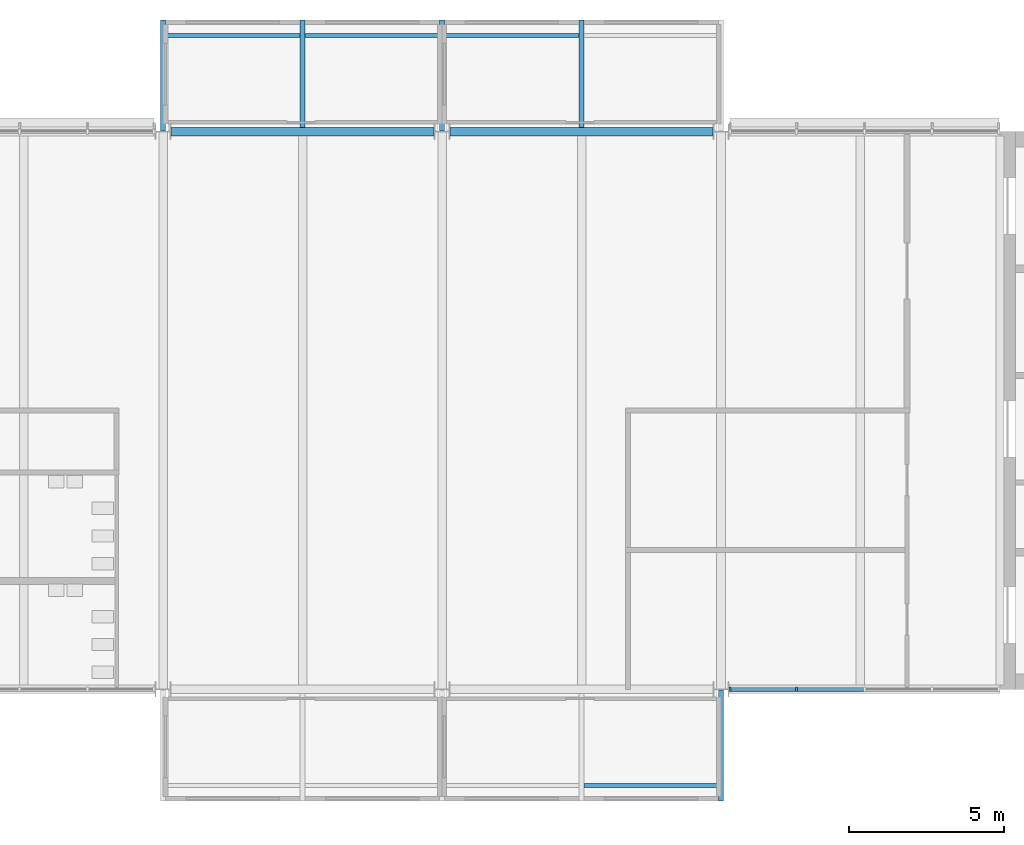
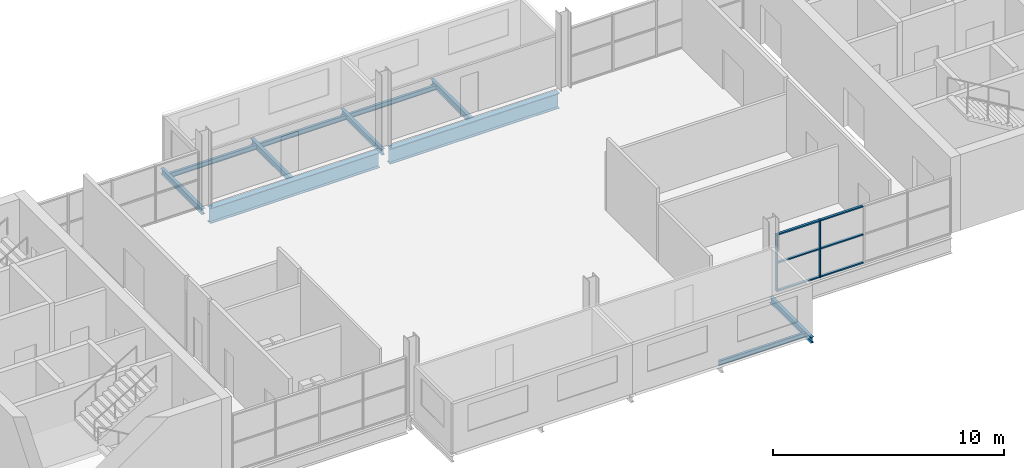
# One storey, part 2 of 10: 11 beams, 8 members, 1 element without a shape of its own.
"""IFC4 building model written with IfcOpenShell, lengths in metres."""

from ifc_helpers import new_model, si_unit, direction, frame, origin, origin_2d, place, context, subcontext, project, spatial, rectangle, i_section, extrude, material, layer, layer_set, material_profile, profile_set, type_object, element, aggregate, save


model = new_model("IFC4")

# Units and contexts
model_context = context("Model", 3, precision=1e-05, world=origin(), true_north=direction((0.0, 1.0)))
body_context = subcontext(model_context, "Body", "Model", "MODEL_VIEW")
ifc_project = project(units=[si_unit("LENGTHUNIT", "METRE"), si_unit("AREAUNIT", "SQUARE_METRE"), si_unit("VOLUMEUNIT", "CUBIC_METRE"), si_unit("PLANEANGLEUNIT", "RADIAN"), si_unit("MASSUNIT", "GRAM", prefix="KILO")], contexts=[model_context])

# Site, building, storey
site_placement = place(None, origin())
site = spatial("IfcSite", under=ifc_project, at=site_placement, CompositionType="ELEMENT")
building_placement = place(site_placement, origin())
building = spatial("IfcBuilding", under=site, at=building_placement, Name="Corbel Yard City Hall", CompositionType="ELEMENT")
storey_placement = place(building_placement, frame((0.0, 0.0, 23.199951171875)))
storey = spatial("IfcBuildingStorey", under=building, at=storey_placement, Name="L05", CompositionType="ELEMENT", Elevation=23.199951171875)

# Beams
ifc_material_1 = material(Name="Steel Grade 350", Category="steel")
ifc_material_profile_1 = material_profile(ifc_material_1, i_section(OverallWidth=0.27490234375, OverallDepth=0.81005859375, WebThickness=0.010009765625, FlangeThickness=0.02490234375, at=origin_2d()), Name="800WB168")
ifc_profile_set_1 = profile_set([ifc_material_profile_1], Name="Steel Grade 350")
beam_type_1 = type_object("IfcBeamType", Name="Edge beam 800WB168", PredefinedType="BEAM", material=ifc_profile_set_1)
for number, where, z_axis, x_axis, name in (
    (1, (18.257080078125, 117.0, -0.554931640625), (1.0, 0.0, 0.0), (0.0, 1.0, 0.0), "Edge beam 800WB168 EB3 L05tower"),
    (2, (27.257080078125, 117.0, -0.554931640625), (1.0, 0.0, 0.0), (0.0, 1.0, 0.0), "Edge beam 800WB168 EB3 L05tower"),
):
    element("IfcBeam", number, at=place(storey_placement, frame(where, z_axis=z_axis, x_axis=x_axis)), inside=storey, type_object=beam_type_1, Name=name, PredefinedType="BEAM", context=body_context, shape_type="SweptSolid", body=[
        extrude(i_section(OverallWidth=0.27490234375, OverallDepth=0.81005859375, WebThickness=0.010009765625, FlangeThickness=0.02490234375, at=origin_2d()), origin(), (0.0, 0.0, 1.0), 8.48583984375),
    ])

# Curtain wall, members
ifc_material_2 = material(Name="Aluminium extrusion", Category="aluminium")
ifc_layer = layer(ifc_material_2, 0.14990234375)
ifc_layer_set = layer_set([ifc_layer], Name="Aluminium extrusion")
curtain_wall_type = type_object("IfcCurtainWallType", Name="CW2", PredefinedType="USERDEFINED", material=ifc_layer_set)
curtain_wall_placement = place(storey_placement, origin())
curtain_wall = element("IfcCurtainWall", 3, at=curtain_wall_placement, inside=storey, type_object=curtain_wall_type, Name="Curtain wall CW2 L05", ObjectType="CURTAIN WALL", PredefinedType="USERDEFINED")
ifc_material_profile_2 = material_profile(ifc_material_2, rectangle(XDim=0.14990234375, YDim=0.06494140625, at=origin_2d()), Name="150x65")
ifc_profile_set_2 = profile_set([ifc_material_profile_2], Name="Aluminium extrusion")
member_type_1 = type_object("IfcMemberType", Name="ML2", PredefinedType="MULLION", material=ifc_profile_set_2)
member_1_placement = place(storey_placement, frame((36.28955078125, 99.0, 0.0), z_axis=(0.0, 0.0, 1.0), x_axis=(0.0, 1.0, 0.0)))
member_1 = element("IfcMember", 4, at=member_1_placement, type_object=member_type_1, Name="CW2 mullion 1", PredefinedType="MULLION", context=body_context, shape_type="SweptSolid", body=[
    extrude(rectangle(XDim=0.14990234375, YDim=0.06494140625, at=origin_2d()), origin(), (0.0, 0.0, 1.0), 3.0400390625),
])
member_2_placement = place(storey_placement, frame((38.44287109375, 99.0, 0.0), z_axis=(0.0, 0.0, 1.0), x_axis=(0.0, 1.0, 0.0)))
member_2 = element("IfcMember", 5, at=member_2_placement, type_object=member_type_1, Name="CW2 mullion 2", PredefinedType="MULLION", context=body_context, shape_type="SweptSolid", body=[
    extrude(rectangle(XDim=0.14990234375, YDim=0.06494140625, at=origin_2d()), origin(), (0.0, 0.0, 1.0), 3.0400390625),
])

# Beams
ifc_material_3 = material(Name="Steel Grade 300 (300 MPa yield)", Category="steel")
ifc_material_profile_3 = material_profile(ifc_material_3, i_section(OverallWidth=0.166015625, OverallDepth=0.306884765625, WebThickness=0.006591796875, FlangeThickness=0.01171875, at=origin_2d()), Name="310UB46.2")
ifc_profile_set_3 = profile_set([ifc_material_profile_3], Name="Steel Grade 300 (300 MPa yield)")
beam_type_2 = type_object("IfcBeamType", Name="Pod stub beam 310UB46.2", PredefinedType="BEAM", material=ifc_profile_set_3)
for number, where, z_axis, x_axis, name in (
    (6, (36.0, 95.39990234375, -0.303466796875), (0.0, 1.0, 0.0), (-1.0, 0.0, 0.0), "Pod stub 310UB46.2 CB1 L05"),
    (7, (18.0, 117.012451171875, -0.303466796875), (0.0, 1.0, 0.0), (-1.0, 0.0, 0.0), "Pod stub 310UB46.2 CB1 L05"),
):
    element("IfcBeam", number, at=place(storey_placement, frame(where, z_axis=z_axis, x_axis=x_axis)), inside=storey, type_object=beam_type_2, Name=name, PredefinedType="BEAM", context=body_context, shape_type="SweptSolid", body=[
        extrude(i_section(OverallWidth=0.166015625, OverallDepth=0.306884765625, WebThickness=0.006591796875, FlangeThickness=0.01171875, at=origin_2d()), origin(), (0.0, 0.0, 1.0), 3.587646484375),
    ])
beam_1_placement = place(storey_placement, frame((22.5, 117.137451171875, -0.303466796875), z_axis=(0.0, 1.0, 0.0), x_axis=(-1.0, 0.0, 0.0)))
element("IfcBeam", 8, at=beam_1_placement, inside=storey, type_object=beam_type_2, Name="Pod stub 310UB46.2 CB1 L05", PredefinedType="BEAM", context=body_context, shape_type="SweptSolid", body=[
    extrude(i_section(OverallWidth=0.166015625, OverallDepth=0.306884765625, WebThickness=0.006591796875, FlangeThickness=0.01171875, at=origin_2d()), origin(), (0.0, 0.0, 1.0), 3.462646484375),
])
beam_2_placement = place(storey_placement, frame((27.0, 117.012451171875, -0.303466796875), z_axis=(0.0, 1.0, 0.0), x_axis=(-1.0, 0.0, 0.0)))
element("IfcBeam", 9, at=beam_2_placement, inside=storey, type_object=beam_type_2, Name="Pod stub 310UB46.2 CB1 L05", PredefinedType="BEAM", context=body_context, shape_type="SweptSolid", body=[
    extrude(i_section(OverallWidth=0.166015625, OverallDepth=0.306884765625, WebThickness=0.006591796875, FlangeThickness=0.01171875, at=origin_2d()), origin(), (0.0, 0.0, 1.0), 3.587646484375),
])
beam_3_placement = place(storey_placement, frame((31.5, 117.137451171875, -0.303466796875), z_axis=(0.0, 1.0, 0.0), x_axis=(-1.0, 0.0, 0.0)))
element("IfcBeam", 10, at=beam_3_placement, inside=storey, type_object=beam_type_2, Name="Pod stub 310UB46.2 CB1 L05", PredefinedType="BEAM", context=body_context, shape_type="SweptSolid", body=[
    extrude(i_section(OverallWidth=0.166015625, OverallDepth=0.306884765625, WebThickness=0.006591796875, FlangeThickness=0.01171875, at=origin_2d()), origin(), (0.0, 0.0, 1.0), 3.462646484375),
])
ifc_material_profile_4 = material_profile(ifc_material_3, i_section(OverallWidth=0.1240234375, OverallDepth=0.248046875, WebThickness=0.0048828125, FlangeThickness=0.008056640625, at=origin_2d()), Name="250UB25.7")
ifc_profile_set_4 = profile_set([ifc_material_profile_4], Name="Steel Grade 300 (300 MPa yield)")
beam_type_3 = type_object("IfcBeamType", Name="Pod tip beam", PredefinedType="BEAM", material=ifc_profile_set_4)
for number, where, z_axis, x_axis, name in (
    (11, (31.5830078125, 95.89990234375, -0.27392578125), (1.0, 0.0, 0.0), (0.0, 1.0, 0.0), "Pod tip beam"),
    (12, (18.0830078125, 120.10009765625, -0.27392578125), (1.0, 0.0, 0.0), (0.0, 1.0, 0.0), "Pod tip beam"),
    (13, (22.5830078125, 120.10009765625, -0.27392578125), (1.0, 0.0, 0.0), (0.0, 1.0, 0.0), "Pod tip beam"),
    (14, (27.0830078125, 120.10009765625, -0.27392578125), (1.0, 0.0, 0.0), (0.0, 1.0, 0.0), "Pod tip beam"),
):
    element("IfcBeam", number, at=place(storey_placement, frame(where, z_axis=z_axis, x_axis=x_axis)), inside=storey, type_object=beam_type_3, Name=name, PredefinedType="BEAM", context=body_context, shape_type="SweptSolid", body=[
        extrude(i_section(OverallWidth=0.1240234375, OverallDepth=0.248046875, WebThickness=0.0048828125, FlangeThickness=0.008056640625, at=origin_2d()), origin(), (0.0, 0.0, 1.0), 4.333984375),
    ])

# Member
ifc_material_profile_5 = material_profile(ifc_material_2, rectangle(XDim=0.1201171875, YDim=0.06494140625, at=origin_2d()), Name="120x65")
ifc_profile_set_5 = profile_set([ifc_material_profile_5], Name="Aluminium extrusion")
member_type_2 = type_object("IfcMemberType", Name="TR2", PredefinedType="USERDEFINED", material=ifc_profile_set_5)
member_3_placement = place(storey_placement, frame((36.322021484375, 99.0, 0.032470703125), z_axis=(1.0, 0.0, 0.0), x_axis=(0.0, 1.0, 0.0)))
member_3 = element("IfcMember", 15, at=member_3_placement, type_object=member_type_2, Name="CW2 transom 1.1", ObjectType="TRANSOM", PredefinedType="USERDEFINED", context=body_context, shape_type="SweptSolid", body=[
    extrude(rectangle(XDim=0.1201171875, YDim=0.06494140625, at=origin_2d()), origin(), (0.0, 0.0, 1.0), 2.088134765625),
])

member_4_placement = place(storey_placement, frame((36.322021484375, 99.0, 1.52001953125), z_axis=(1.0, 0.0, 0.0), x_axis=(0.0, 1.0, 0.0)))
member_4 = element("IfcMember", 16, at=member_4_placement, type_object=member_type_2, Name="CW2 transom 1.2", ObjectType="TRANSOM", PredefinedType="USERDEFINED", context=body_context, shape_type="SweptSolid", body=[
    extrude(rectangle(XDim=0.1201171875, YDim=0.06494140625, at=origin_2d()), origin(), (0.0, 0.0, 1.0), 2.088134765625),
])

member_5_placement = place(storey_placement, frame((36.322021484375, 99.0, 3.007568359375), z_axis=(1.0, 0.0, 0.0), x_axis=(0.0, 1.0, 0.0)))
member_5 = element("IfcMember", 17, at=member_5_placement, type_object=member_type_2, Name="CW2 transom 1.3", ObjectType="TRANSOM", PredefinedType="USERDEFINED", context=body_context, shape_type="SweptSolid", body=[
    extrude(rectangle(XDim=0.1201171875, YDim=0.06494140625, at=origin_2d()), origin(), (0.0, 0.0, 1.0), 2.088134765625),
])

member_6_placement = place(storey_placement, frame((38.475341796875, 99.0, 0.032470703125), z_axis=(1.0, 0.0, 0.0), x_axis=(0.0, 1.0, 0.0)))
member_6 = element("IfcMember", 18, at=member_6_placement, type_object=member_type_2, Name="CW2 transom 2.1", ObjectType="TRANSOM", PredefinedType="USERDEFINED", context=body_context, shape_type="SweptSolid", body=[
    extrude(rectangle(XDim=0.1201171875, YDim=0.06494140625, at=origin_2d()), origin(), (0.0, 0.0, 1.0), 2.12060546875),
])

member_7_placement = place(storey_placement, frame((38.475341796875, 99.0, 1.52001953125), z_axis=(1.0, 0.0, 0.0), x_axis=(0.0, 1.0, 0.0)))
member_7 = element("IfcMember", 19, at=member_7_placement, type_object=member_type_2, Name="CW2 transom 2.2", ObjectType="TRANSOM", PredefinedType="USERDEFINED", context=body_context, shape_type="SweptSolid", body=[
    extrude(rectangle(XDim=0.1201171875, YDim=0.06494140625, at=origin_2d()), origin(), (0.0, 0.0, 1.0), 2.12060546875),
])

member_8_placement = place(storey_placement, frame((38.475341796875, 99.0, 3.007568359375), z_axis=(1.0, 0.0, 0.0), x_axis=(0.0, 1.0, 0.0)))
member_8 = element("IfcMember", 20, at=member_8_placement, type_object=member_type_2, Name="CW2 transom 2.3", ObjectType="TRANSOM", PredefinedType="USERDEFINED", context=body_context, shape_type="SweptSolid", body=[
    extrude(rectangle(XDim=0.1201171875, YDim=0.06494140625, at=origin_2d()), origin(), (0.0, 0.0, 1.0), 2.12060546875),
])

aggregate(curtain_wall, [member_1, member_2, member_3, member_4, member_5, member_6, member_7, member_8])

save(model, "model.ifc")
